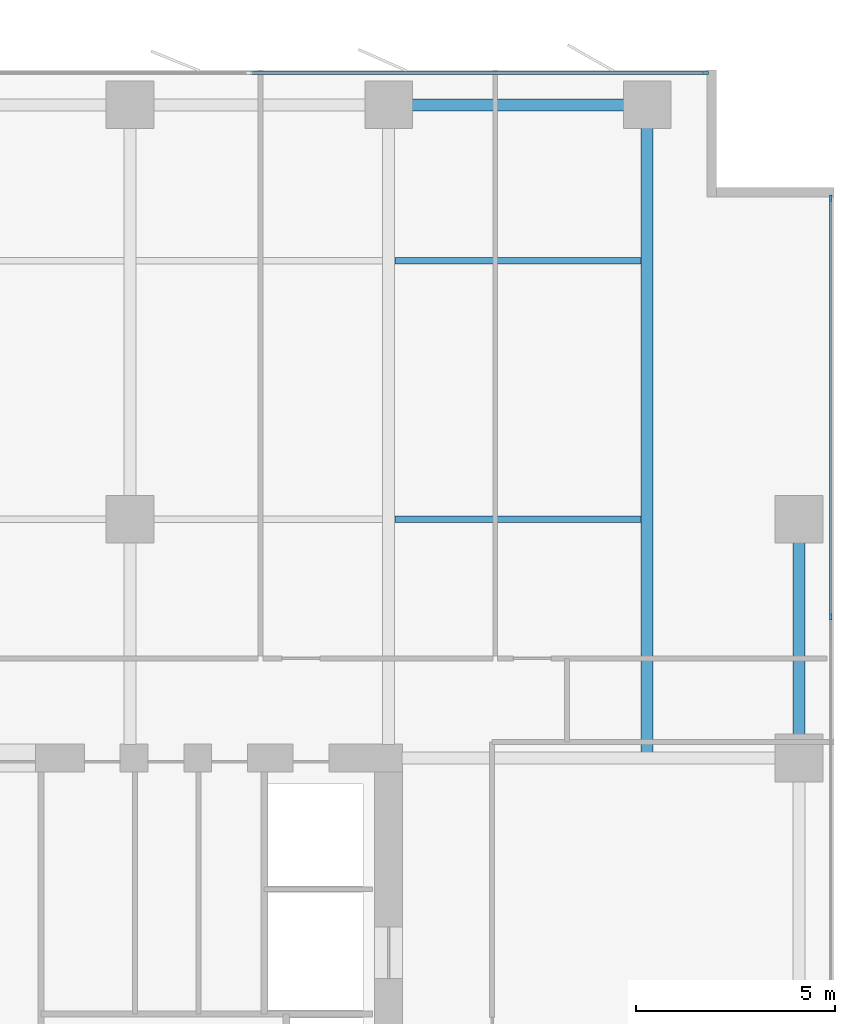
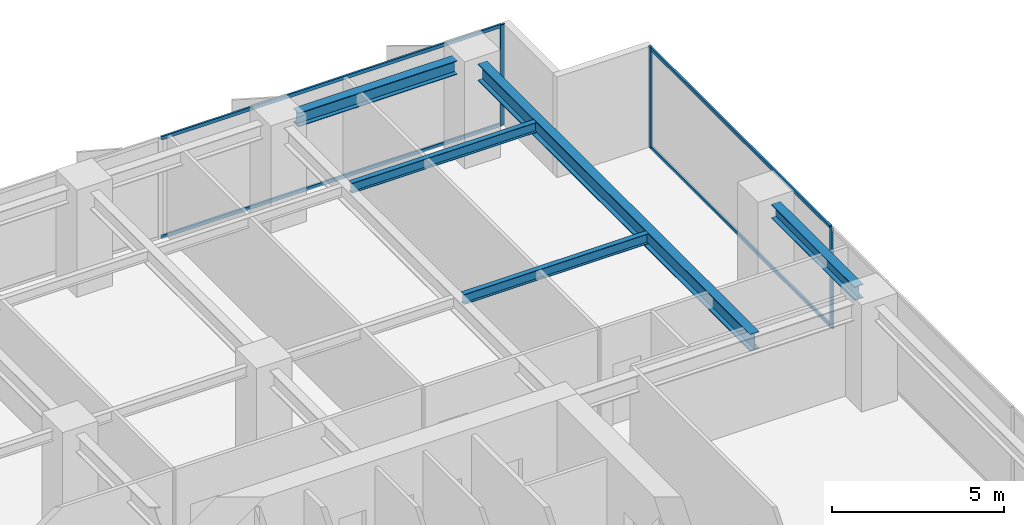
# One storey, part 11 of 20: 7 members, 5 beams, 2 elements without a shape of their own.
"""IFC4 building model written with IfcOpenShell, lengths in metres."""

import ifcopenshell
import ifcopenshell.guid

model = None  # the IFC model being written
_history = None  # IfcOwnerHistory: only IFC2X3 demands one
_inside = {}  # id of a spatial element -> (the spatial element, [elements in it])
_under = {}  # id of a project, library or spatial element -> (it, [spatial elements below it])
_declared = {}  # id of a project -> (the project, [libraries it declares])
_typed = {}  # id of a type object -> (the type object, [elements of that type])
_made_of = {}  # id of a material, layer set ... -> (it, [elements and type objects made of it])


def new_model(schema):
    """Start an empty IFC model of exactly this schema.

    Asked for "IFC4X3", IfcOpenShell would pick the latest addendum, in which some entities
    have other attributes; the version numbers below select the first issue.
    IFC2X3 requires an IfcOwnerHistory on every rooted entity: one is made here for all.
    """
    global model, _history
    if schema == "IFC4X3":
        model = ifcopenshell.file(schema_version=(4, 3, 0, 0))
    else:
        model = ifcopenshell.file(schema=schema)
    _inside.clear()
    _under.clear()
    _declared.clear()
    _typed.clear()
    _made_of.clear()
    _history = None
    if model.schema == "IFC2X3":
        org = make("IfcOrganization", Name="unknown")
        user = make(
            "IfcPersonAndOrganization",
            ThePerson=make("IfcPerson", FamilyName="unknown"),
            TheOrganization=org,
        )
        app = make(
            "IfcApplication",
            ApplicationDeveloper=org,
            Version="unknown",
            ApplicationFullName="unknown",
            ApplicationIdentifier="unknown",
        )
        _history = make(
            "IfcOwnerHistory",
            OwningUser=user,
            OwningApplication=app,
            ChangeAction="ADDED",
            CreationDate=0,
        )
    return model


def make(cls, **values):
    """One entity of the class cls with the attributes given. An attribute that is None is left unset."""
    return model.create_entity(
        cls, **{name: value for name, value in values.items() if value is not None}
    )


def rooted(cls, **values):
    """An entity with a GlobalId (a new one), such as an element, a storey or a relation."""
    return make(cls, GlobalId=ifcopenshell.guid.new(), OwnerHistory=_history, **values)


def si_unit(unit_type, name, prefix=None):
    """IfcSIUnit, for example si_unit("LENGTHUNIT", "METRE", prefix="MILLI")."""
    return make("IfcSIUnit", UnitType=unit_type, Prefix=prefix, Name=name)


def assignment(units):
    """IfcUnitAssignment: the units of a project."""
    return None if units is None else make("IfcUnitAssignment", Units=units)


def point(xyz):
    """IfcCartesianPoint."""
    return None if xyz is None else make("IfcCartesianPoint", Coordinates=xyz)


def direction(xyz):
    """IfcDirection."""
    return None if xyz is None else make("IfcDirection", DirectionRatios=xyz)


def frame(location, z_axis=None, x_axis=None):
    """IfcAxis2Placement3D, a coordinate frame: its origin and axes. An axis left out is left unset."""
    return make(
        "IfcAxis2Placement3D",
        Location=point(location),
        Axis=direction(z_axis),
        RefDirection=direction(x_axis),
    )


def frame_2d(location, x_axis=None):
    """IfcAxis2Placement2D, a coordinate frame in the plane: its origin and x axis."""
    return make(
        "IfcAxis2Placement2D", Location=point(location), RefDirection=direction(x_axis)
    )


def origin():
    """The frame at (0, 0, 0) with its axes left unset."""
    return frame((0.0, 0.0, 0.0))


def origin_2d():
    """The frame at (0, 0) in the plane with its x axis left unset."""
    return frame_2d((0.0, 0.0))


def place(relative_to, where):
    """IfcLocalPlacement: puts the frame where relative to a parent placement (None: the world)."""
    return make(
        "IfcLocalPlacement", PlacementRelTo=relative_to, RelativePlacement=where
    )


def context(
    kind, dimensions, precision=None, world=None, true_north=None, identifier=None
):
    """IfcGeometricRepresentationContext, for example the 3D "Model" context."""
    return make(
        "IfcGeometricRepresentationContext",
        ContextIdentifier=identifier,
        ContextType=kind,
        CoordinateSpaceDimension=dimensions,
        Precision=precision,
        WorldCoordinateSystem=world,
        TrueNorth=true_north,
    )


def subcontext(parent, identifier, kind, view, scale=None):
    """IfcGeometricRepresentationSubContext, for example "Body" below "Model"."""
    return make(
        "IfcGeometricRepresentationSubContext",
        ContextIdentifier=identifier,
        ContextType=kind,
        ParentContext=parent,
        TargetScale=scale,
        TargetView=view,
    )


def project(units=None, contexts=None):
    """IfcProject with its units and contexts."""
    return rooted(
        "IfcProject",
        Name="project",
        RepresentationContexts=contexts,
        UnitsInContext=assignment(units),
    )


def spatial(cls, under=None, at=None, **own):
    """A site, building, storey or space (cls), placed at a placement, below another one or the project."""
    s = rooted(cls, ObjectPlacement=at, **own)
    if under is not None:
        _under.setdefault(under.id(), (under, []))[1].append(s)
    return s


def profile(cls, at=None, kind="AREA", **sizes):
    """A parametric profile (cls). Its sizes go by their IFC names, for example OverallWidth=200.0."""
    return make(cls, ProfileType=kind, Position=at, **sizes)


def rectangle(**sizes):
    """IfcRectangleProfileDef."""
    return profile("IfcRectangleProfileDef", **sizes)


def i_section(**sizes):
    """IfcIShapeProfileDef."""
    return profile("IfcIShapeProfileDef", **sizes)


def extrude(swept, where, along, depth):
    """IfcExtrudedAreaSolid: the profile swept, set in the frame where, extruded along a direction by depth."""
    return make(
        "IfcExtrudedAreaSolid",
        SweptArea=swept,
        Position=where,
        ExtrudedDirection=direction(along),
        Depth=depth,
    )


def shape(context_of_items, identifier, shape_type, items):
    """IfcShapeRepresentation: the items that make up one representation, for example the "Body"."""
    return make(
        "IfcShapeRepresentation",
        ContextOfItems=context_of_items,
        RepresentationIdentifier=identifier,
        RepresentationType=shape_type,
        Items=items,
    )


def material(Name=None, Category=None):
    """IfcMaterial."""
    return make("IfcMaterial", Name=Name, Category=Category)


def layer(
    of_material, thickness, ventilated=None, Name=None, Category=None, Priority=None
):
    """IfcMaterialLayer: one layer of a wall or slab, of a material (None: an air gap)."""
    return make(
        "IfcMaterialLayer",
        Material=of_material,
        LayerThickness=thickness,
        IsVentilated=ventilated,
        Name=Name,
        Category=Category,
        Priority=Priority,
    )


def layer_set(layers, Name=None):
    """IfcMaterialLayerSet."""
    return make("IfcMaterialLayerSet", MaterialLayers=layers, LayerSetName=Name)


def material_profile(
    of_material, cross_section, Name=None, Category=None, Priority=None
):
    """IfcMaterialProfile: a cross section and its material."""
    return make(
        "IfcMaterialProfile",
        Name=Name,
        Material=of_material,
        Profile=cross_section,
        Priority=Priority,
        Category=Category,
    )


def profile_set(profiles, Name=None, composite=None):
    """IfcMaterialProfileSet."""
    return make(
        "IfcMaterialProfileSet",
        Name=Name,
        MaterialProfiles=profiles,
        CompositeProfile=composite,
    )


def made_of(thing, what):
    """Note that an element or type object is made of a material, layer set ...; save() writes the relation."""
    if what is not None:
        _made_of.setdefault(what.id(), (what, []))[1].append(thing)
    return thing


def type_object(cls, material=None, **own):
    """A type object (cls), such as IfcWallType, which elements share."""
    return made_of(rooted(cls, **own), material)


def element(
    cls,
    number,
    at=None,
    inside=None,
    cuts=None,
    type_object=None,
    material=None,
    context=None,
    identifier="Body",
    shape_type=None,
    held_by="IfcProductDefinitionShape",
    body=None,
    shapes=None,
    **own,
):
    """One element of the class cls, such as IfcWall. Its Tag is "e" and its number.

    at: its placement. inside: the storey or other place that contains it. cuts: it is an
    opening in that element (IfcRelVoidsElement). A single representation is given by context,
    identifier, shape_type and body (its items); several are given by shapes. held_by: the class
    of the entity that holds the representations. save() writes the other relations.
    """
    e = rooted(cls, Tag="e%d" % number, ObjectPlacement=at, **own)
    if body is not None:
        shapes = [shape(context, identifier, shape_type, body)]
    if shapes is not None:
        e.Representation = make(held_by, Representations=shapes)
    if inside is not None:
        _inside.setdefault(inside.id(), (inside, []))[1].append(e)
    if cuts is not None:
        rooted(
            "IfcRelVoidsElement", RelatingBuildingElement=cuts, RelatedOpeningElement=e
        )
    if type_object is not None:
        _typed.setdefault(type_object.id(), (type_object, []))[1].append(e)
    return made_of(e, material)


def aggregate(whole, parts):
    """IfcRelAggregates: a whole, such as a stair, and the parts it consists of."""
    return rooted("IfcRelAggregates", RelatingObject=whole, RelatedObjects=parts)


def save(model, path):
    """Write the relations noted so far, then the file.

    IfcRelAggregates (storeys below a building ...), IfcRelContainedInSpatialStructure (elements
    in a storey), IfcRelDefinesByType, IfcRelAssociatesMaterial and IfcRelDeclares: one each for
    every whole, place, type object, material and project.
    """
    for whole, parts in _under.values():
        aggregate(whole, parts)
    for where, things in _inside.values():
        rooted(
            "IfcRelContainedInSpatialStructure",
            RelatedElements=things,
            RelatingStructure=where,
        )
    for kind, things in _typed.values():
        rooted("IfcRelDefinesByType", RelatedObjects=things, RelatingType=kind)
    for what, things in _made_of.values():
        rooted("IfcRelAssociatesMaterial", RelatedObjects=things, RelatingMaterial=what)
    for by, libraries in _declared.values():
        rooted("IfcRelDeclares", RelatingContext=by, RelatedDefinitions=libraries)
    model.write(path)


model = new_model("IFC4")

# Units and contexts
model_context = context("Model", 3, precision=1e-05, world=origin(), true_north=direction((0.0, 1.0)))
body_context = subcontext(model_context, "Body", "Model", "MODEL_VIEW")
ifc_project = project(units=[si_unit("LENGTHUNIT", "METRE"), si_unit("AREAUNIT", "SQUARE_METRE"), si_unit("VOLUMEUNIT", "CUBIC_METRE"), si_unit("PLANEANGLEUNIT", "RADIAN"), si_unit("MASSUNIT", "GRAM", prefix="KILO")], contexts=[model_context])

# Site, building, storey
site_placement = place(None, origin())
site = spatial("IfcSite", under=ifc_project, at=site_placement, CompositionType="ELEMENT")
building_placement = place(site_placement, origin())
building = spatial("IfcBuilding", under=site, at=building_placement, Name="Putna Gate Headquarters", CompositionType="ELEMENT")
storey_placement = place(building_placement, frame((0.0, 0.0, 105.0)))
storey = spatial("IfcBuildingStorey", under=building, at=storey_placement, Name="L25", CompositionType="ELEMENT", Elevation=105.0)

# Beams
ifc_material_1 = material(Name="Steel S355J2", Category="steel")
ifc_material_profile_1 = material_profile(ifc_material_1, i_section(OverallWidth=0.300048828125, OverallDepth=0.60009765625, WebThickness=0.015380859375, FlangeThickness=0.030029296875, at=origin_2d()), Name="Steel S355J2")
ifc_profile_set_1 = profile_set([ifc_material_profile_1], Name="Steel S355J2")
beam_type_1 = type_object("IfcBeamType", Name="BM-GIRD-Z2-HEB600", PredefinedType="USERDEFINED", material=ifc_profile_set_1)
beam_1_placement = place(storey_placement, frame((71.5, 33.011962890625, 3.264892578125), z_axis=(0.0, 1.0, 0.0), x_axis=(-1.0, 0.0, 0.0)))
element("IfcBeam", 1, at=beam_1_placement, inside=storey, type_object=beam_type_1, Name="L25 North Primary Girder X71", ObjectType="GIRDER", PredefinedType="USERDEFINED", context=body_context, shape_type="SweptSolid", body=[
    extrude(i_section(OverallWidth=0.300048828125, OverallDepth=0.60009765625, WebThickness=0.015380859375, FlangeThickness=0.030029296875, at=origin_2d()), origin(), (0.0, 0.0, 1.0), 15.820068359375),
])
ifc_material_profile_2 = material_profile(ifc_material_1, i_section(OverallWidth=0.169921875, OverallDepth=0.360107421875, WebThickness=0.008056640625, FlangeThickness=0.0126953125, at=origin_2d()), Name="Steel S355J2")
ifc_profile_set_2 = profile_set([ifc_material_profile_2], Name="Steel S355J2")
beam_type_2 = type_object("IfcBeamType", Name="BM-SEC-Z2-IPE360", PredefinedType="BEAM", material=ifc_profile_set_2)
for number, where, z_axis, x_axis, name in (
    (2, (65.154052734375, 39.0, 3.385009765625), (1.0, 0.0, 0.0), (0.0, 1.0, 0.0), "L25 North Secondary Beam 10"),
    (3, (65.154052734375, 45.5, 3.385009765625), (1.0, 0.0, 0.0), (0.0, 1.0, 0.0), "L25 North Secondary Beam 10"),
):
    element("IfcBeam", number, at=place(storey_placement, frame(where, z_axis=z_axis, x_axis=x_axis)), inside=storey, type_object=beam_type_2, Name=name, PredefinedType="BEAM", context=body_context, shape_type="SweptSolid", body=[
        extrude(i_section(OverallWidth=0.169921875, OverallDepth=0.360107421875, WebThickness=0.008056640625, FlangeThickness=0.0126953125, at=origin_2d()), origin(), (0.0, 0.0, 1.0), 6.19189453125),
    ])
ifc_material_profile_3 = material_profile(ifc_material_1, i_section(OverallWidth=0.300048828125, OverallDepth=0.489990234375, WebThickness=0.011962890625, FlangeThickness=0.02294921875, at=origin_2d()), Name="Steel S355J2")
ifc_profile_set_3 = profile_set([ifc_material_profile_3], Name="Steel S355J2")
beam_type_3 = type_object("IfcBeamType", Name="BM-SPAN-Z2-HEA500", PredefinedType="SPANDREL", material=ifc_profile_set_3)
beam_2_placement = place(storey_placement, frame((65.587890625, 49.419921875, 3.320068359375), z_axis=(1.0, 0.0, 0.0), x_axis=(0.0, 1.0, 0.0)))
element("IfcBeam", 4, at=beam_2_placement, inside=storey, type_object=beam_type_3, Name="L25 N Perimeter Spandrel 10", PredefinedType="SPANDREL", context=body_context, shape_type="SweptSolid", body=[
    extrude(i_section(OverallWidth=0.300048828125, OverallDepth=0.489990234375, WebThickness=0.011962890625, FlangeThickness=0.02294921875, at=origin_2d()), origin(), (0.0, 0.0, 1.0), 5.32421875),
])
beam_3_placement = place(storey_placement, frame((75.320068359375, 33.587890625, 3.320068359375), z_axis=(0.0, 1.0, 0.0), x_axis=(-1.0, 0.0, 0.0)))
element("IfcBeam", 5, at=beam_3_placement, inside=storey, type_object=beam_type_3, Name="L25 E End Spandrel 3", PredefinedType="SPANDREL", context=body_context, shape_type="SweptSolid", body=[
    extrude(i_section(OverallWidth=0.300048828125, OverallDepth=0.489990234375, WebThickness=0.011962890625, FlangeThickness=0.02294921875, at=origin_2d()), origin(), (0.0, 0.0, 1.0), 4.82421875),
])

# Curtain wall, member
ifc_material_2 = material(Name="Anodised bronze aluminium curtain wall", Category="aluminium")
ifc_layer = layer(ifc_material_2, 0.159912109375)
ifc_layer_set = layer_set([ifc_layer], Name="Anodised bronze aluminium curtain wall")
curtain_wall_type = type_object("IfcCurtainWallType", Name="CW-SYS-Z2", PredefinedType="USERDEFINED", material=ifc_layer_set)
curtain_wall_1_placement = place(storey_placement, origin())
curtain_wall_1 = element("IfcCurtainWall", 6, at=curtain_wall_1_placement, inside=storey, type_object=curtain_wall_type, Name="L25 North East Curtain Wall", ObjectType="STICK CURTAIN WALL", PredefinedType="USERDEFINED")
ifc_material_3 = material(Name="Anodised bronze aluminium EN AW-6060", Category="aluminium")
ifc_material_profile_4 = material_profile(ifc_material_3, rectangle(XDim=0.06494140625, YDim=0.159912109375, at=origin_2d()), Name="Anodised bronze aluminium EN AW-6060")
ifc_profile_set_4 = profile_set([ifc_material_profile_4], Name="Anodised bronze aluminium EN AW-6060")
member_type_1 = type_object("IfcMemberType", Name="MULL-CWM-2", PredefinedType="MULLION", material=ifc_profile_set_4)
member_1_placement = place(storey_placement, frame((72.967529296875, 50.219970703125, 0.0), z_axis=(0.0, 0.0, 1.0), x_axis=(0.0, 1.0, 0.0)))
member_1 = element("IfcMember", 7, at=member_1_placement, type_object=member_type_1, Name="CWS-2 mullion 3", PredefinedType="MULLION", context=body_context, shape_type="SweptSolid", body=[
    extrude(rectangle(XDim=0.06494140625, YDim=0.159912109375, at=origin_2d()), origin(), (0.0, 0.0, 1.0), 3.56494140625),
])

# Curtain wall, members
curtain_wall_2_placement = place(storey_placement, origin())
curtain_wall_2 = element("IfcCurtainWall", 8, at=curtain_wall_2_placement, inside=storey, type_object=curtain_wall_type, Name="L25 East Curtain Wall", ObjectType="STICK CURTAIN WALL", PredefinedType="USERDEFINED")
member_2_placement = place(storey_placement, frame((76.1201171875, 36.550048828125, 0.0), z_axis=(0.0, 0.0, 1.0), x_axis=(-1.0, 0.0, 0.0)))
member_2 = element("IfcMember", 9, at=member_2_placement, type_object=member_type_1, Name="CWS-2 mullion 4", PredefinedType="MULLION", context=body_context, shape_type="SweptSolid", body=[
    extrude(rectangle(XDim=0.06494140625, YDim=0.159912109375, at=origin_2d()), origin(), (0.0, 0.0, 1.0), 3.56494140625),
])
member_3_placement = place(storey_placement, frame((76.1201171875, 47.0673828125, 0.0), z_axis=(0.0, 0.0, 1.0), x_axis=(-1.0, 0.0, 0.0)))
member_3 = element("IfcMember", 10, at=member_3_placement, type_object=member_type_1, Name="CWS-2 mullion 5", PredefinedType="MULLION", context=body_context, shape_type="SweptSolid", body=[
    extrude(rectangle(XDim=0.06494140625, YDim=0.159912109375, at=origin_2d()), origin(), (0.0, 0.0, 1.0), 3.56494140625),
])

# Member
ifc_material_profile_5 = material_profile(ifc_material_3, rectangle(XDim=0.06494140625, YDim=0.1201171875, at=origin_2d()), Name="Anodised bronze aluminium EN AW-6060")
ifc_profile_set_5 = profile_set([ifc_material_profile_5], Name="Anodised bronze aluminium EN AW-6060")
member_type_2 = type_object("IfcMemberType", Name="TRAN-CWT-2", PredefinedType="USERDEFINED", material=ifc_profile_set_5)
member_4_placement = place(storey_placement, frame((61.532470703125, 50.219970703125, 0.032470703125), z_axis=(1.0, 0.0, 0.0), x_axis=(0.0, 1.0, 0.0)))
member_4 = element("IfcMember", 11, at=member_4_placement, type_object=member_type_2, Name="CWS-2 transom 2.1", ObjectType="TRANSOM", PredefinedType="USERDEFINED", context=body_context, shape_type="SweptSolid", body=[
    extrude(rectangle(XDim=0.06494140625, YDim=0.1201171875, at=origin_2d()), origin(), (0.0, 0.0, 1.0), 11.402587890625),
])

member_5_placement = place(storey_placement, frame((61.532470703125, 50.219970703125, 3.532470703125), z_axis=(1.0, 0.0, 0.0), x_axis=(0.0, 1.0, 0.0)))
member_5 = element("IfcMember", 12, at=member_5_placement, type_object=member_type_2, Name="CWS-2 transom 2.2", ObjectType="TRANSOM", PredefinedType="USERDEFINED", context=body_context, shape_type="SweptSolid", body=[
    extrude(rectangle(XDim=0.06494140625, YDim=0.1201171875, at=origin_2d()), origin(), (0.0, 0.0, 1.0), 11.402587890625),
])

aggregate(curtain_wall_1, [member_1, member_4, member_5])

member_6_placement = place(storey_placement, frame((76.1201171875, 36.58251953125, 0.032470703125), z_axis=(0.0, 1.0, 0.0), x_axis=(-1.0, 0.0, 0.0)))
member_6 = element("IfcMember", 13, at=member_6_placement, type_object=member_type_2, Name="CWS-2 transom 4.1", ObjectType="TRANSOM", PredefinedType="USERDEFINED", context=body_context, shape_type="SweptSolid", body=[
    extrude(rectangle(XDim=0.06494140625, YDim=0.1201171875, at=origin_2d()), origin(), (0.0, 0.0, 1.0), 10.452392578125),
])

member_7_placement = place(storey_placement, frame((76.1201171875, 36.58251953125, 3.532470703125), z_axis=(0.0, 1.0, 0.0), x_axis=(-1.0, 0.0, 0.0)))
member_7 = element("IfcMember", 14, at=member_7_placement, type_object=member_type_2, Name="CWS-2 transom 4.2", ObjectType="TRANSOM", PredefinedType="USERDEFINED", context=body_context, shape_type="SweptSolid", body=[
    extrude(rectangle(XDim=0.06494140625, YDim=0.1201171875, at=origin_2d()), origin(), (0.0, 0.0, 1.0), 10.452392578125),
])

aggregate(curtain_wall_2, [member_2, member_3, member_6, member_7])

save(model, "model.ifc")
